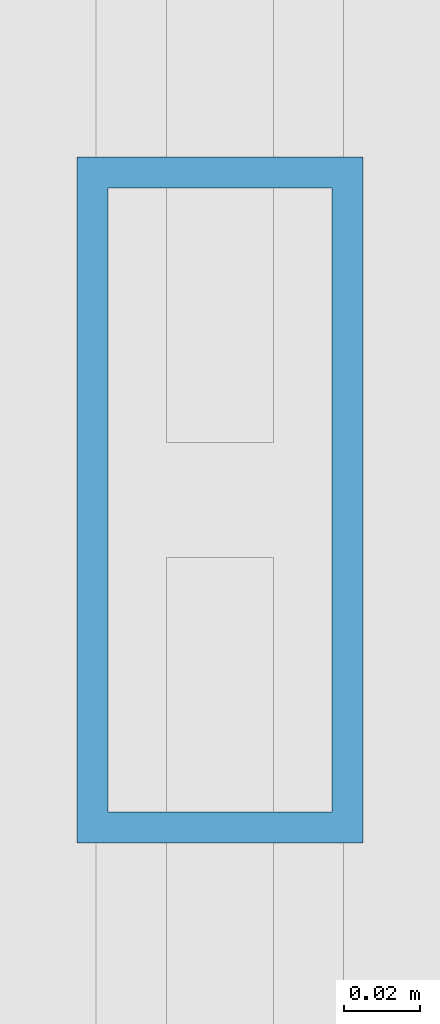
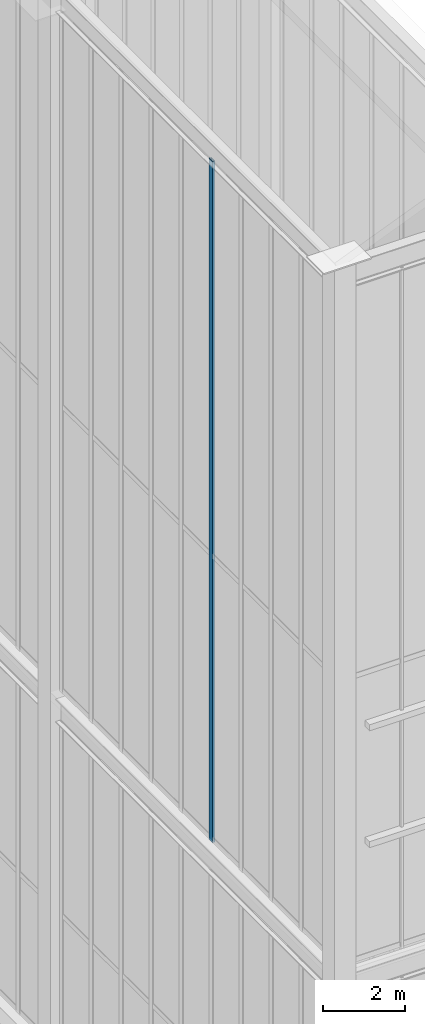
# One storey, part 54 of 135: 1 member, 1 element without a shape of its own.
"""IFC4 building model written with IfcOpenShell, lengths in metres."""

from ifc_helpers import new_model, si_unit, direction, frame, origin, origin_2d, place, context, subcontext, project, spatial, hollow_rectangle, extrude, source, transform, mapped, material, layer, layer_set, material_profile, profile_set, type_object, element, aggregate, save


model = new_model("IFC4")

# Units and contexts
model_context = context("Model", 3, precision=1e-05, world=origin(), true_north=direction((0.0, 1.0)))
body_context = subcontext(model_context, "Body", "Model", "MODEL_VIEW")
ifc_project = project(units=[si_unit("LENGTHUNIT", "METRE"), si_unit("AREAUNIT", "SQUARE_METRE"), si_unit("VOLUMEUNIT", "CUBIC_METRE"), si_unit("PLANEANGLEUNIT", "RADIAN"), si_unit("MASSUNIT", "GRAM", prefix="KILO")], contexts=[model_context])

# Site, building, storey
site_placement = place(None, origin())
site = spatial("IfcSite", under=ifc_project, at=site_placement, CompositionType="ELEMENT")
building_placement = place(site_placement, origin())
building = spatial("IfcBuilding", under=site, at=building_placement, Name="Giltprow Tower", CompositionType="ELEMENT")
storey_placement = place(building_placement, frame((0.0, 0.0, 352.699951171875)))
storey = spatial("IfcBuildingStorey", under=building, at=storey_placement, Name="L92", CompositionType="ELEMENT", Elevation=352.699951171875)

# Curtain wall, member
ifc_material = material(Name="Anodized bronze", Category="metal")
ifc_layer = layer(ifc_material, 0.179931640625, Name="Anodized bronze")
ifc_layer_set = layer_set([ifc_layer], Name="Anodized bronze")
curtain_wall_type = type_object("IfcCurtainWallType", Name="CW-CROWN-LANTERN", PredefinedType="NOTDEFINED", material=ifc_layer_set)
curtain_wall_placement = place(storey_placement, origin())
curtain_wall = element("IfcCurtainWall", 1, at=curtain_wall_placement, inside=storey, type_object=curtain_wall_type, Name="Crown East Upper Lantern Glazing 6", PredefinedType="NOTDEFINED")
ifc_material_profile = material_profile(ifc_material, hollow_rectangle(XDim=0.074951171875, YDim=0.179931640625, WallThickness=0.008056640625, at=origin_2d()), Name="RHS 180x75x8")
ifc_profile_set = profile_set([ifc_material_profile], Name="Anodized bronze")
member_type = type_object("IfcMemberType", Name="CW-MULLION-180x75", PredefinedType="MULLION", material=ifc_profile_set)
shared_shape = source(origin(), body_context, "Body", "SweptSolid", [
    extrude(hollow_rectangle(XDim=0.074951171875, YDim=0.179931640625, WallThickness=0.008056640625, at=origin_2d()), origin(), (0.0, 0.0, 1.0), 20.406005859375),
])
member_placement = place(storey_placement, frame((44.300048828125, 29.739013671875, 17.25), z_axis=(0.0, 0.0, 1.0), x_axis=(1.0, 0.0, 0.0)))
member = element("IfcMember", 2, at=member_placement, type_object=member_type, Name="Crown East Upper Lantern Glazing 6 Mullion 6", PredefinedType="MULLION", context=body_context, shape_type="MappedRepresentation", body=[
    mapped(shared_shape, transform((0.0, 0.0, 0.0), x_axis=(1.0, 0.0, 0.0), y_axis=(0.0, 1.0, 0.0), z_axis=(0.0, 0.0, 1.0), scale=1.0)),
])
aggregate(curtain_wall, [member])

save(model, "model.ifc")
